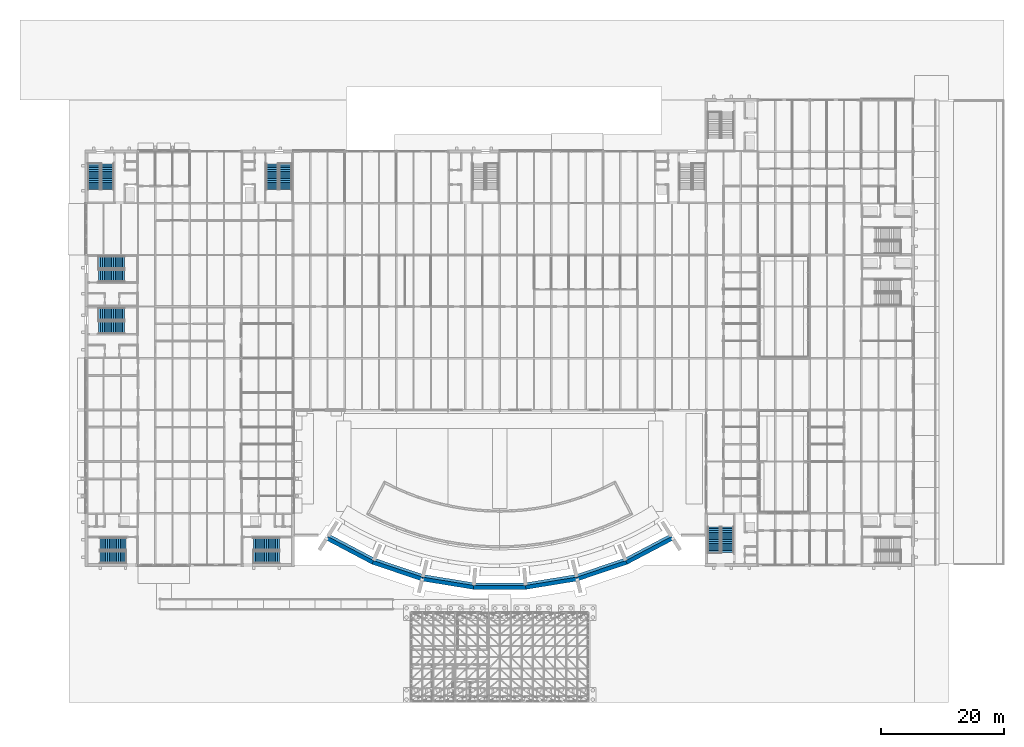
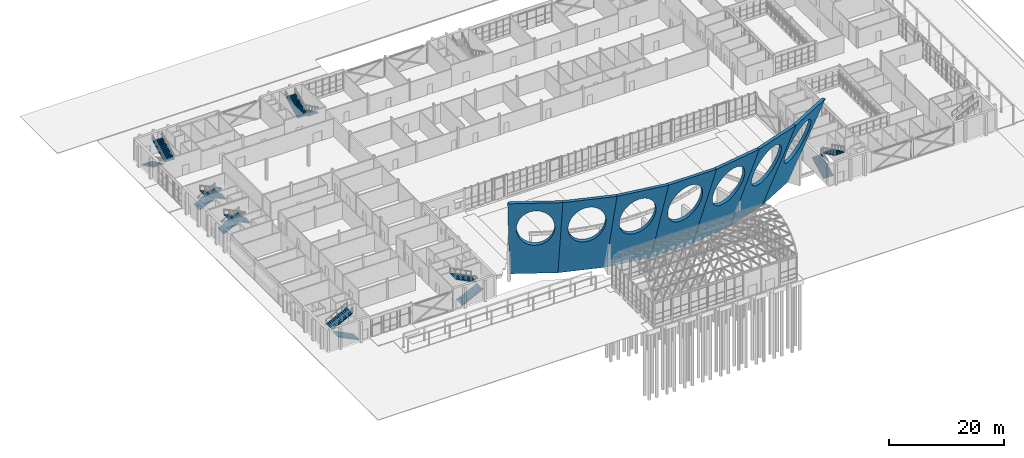
# One storey, part 97 of 116: 14 stair flights, 7 walls, 7 openings, 7 elements without a shape of their own.
"""IFC4 building model written with IfcOpenShell, lengths in metres."""

from ifc_helpers import new_model, si_unit, direction, frame, origin, origin_2d, place, context, subcontext, project, spatial, polyline, ellipse, outline, extrude, faceted_brep, material, layer, layer_set, type_object, element, aggregate, save


model = new_model("IFC4")

# Units and contexts
model_context = context("Model", 3, precision=1e-05, world=origin(), true_north=direction((0.0, 1.0)))
body_context = subcontext(model_context, "Body", "Model", "MODEL_VIEW")
ifc_project = project(units=[si_unit("LENGTHUNIT", "METRE"), si_unit("AREAUNIT", "SQUARE_METRE"), si_unit("VOLUMEUNIT", "CUBIC_METRE"), si_unit("PLANEANGLEUNIT", "RADIAN"), si_unit("MASSUNIT", "GRAM", prefix="KILO")], contexts=[model_context])

# Site, building, storey
site_placement = place(None, origin())
site = spatial("IfcSite", under=ifc_project, at=site_placement, CompositionType="ELEMENT")
building_placement = place(site_placement, origin())
building = spatial("IfcBuilding", under=site, at=building_placement, Name="Ardhachandra Cancer Care Centre", CompositionType="ELEMENT")
storey_placement = place(building_placement, origin())
storey = spatial("IfcBuildingStorey", under=building, at=storey_placement, Name="L00", CompositionType="ELEMENT", Elevation=0.0)

# Wall, opening
ifc_material_1 = material(Name="Concrete M40", Category="concrete")
ifc_layer = layer(ifc_material_1, 0.60009765625)
ifc_layer_set = layer_set([ifc_layer], Name="Concrete M40")
wall_type = type_object("IfcWallType", Name="Stone wall 600 leaning, granite on M40 core", PredefinedType="SOLIDWALL", material=ifc_layer_set)
wall_1_placement = place(storey_placement, frame((50.114501953125, 34.109375, 0.0), z_axis=(-0.438215581245, -0.831257677206, -0.342020143326), x_axis=(0.884605943282, -0.466339281113, 0.0)))
wall_1 = element("IfcWall", 1, at=wall_1_placement, inside=storey, type_object=wall_type, Name="Court wall facet 1", PredefinedType="SOLIDWALL", context=body_context, shape_type="Brep", body=[
    faceted_brep([(0.025838475, -0.109152059, -0.299892818), (-0.564010179, 21.174404144, -0.299890748), (8.964007082, 21.17439072, -0.29992763), (8.374097543, -0.109164096, -0.299925889), (-0.025899252, 0.109229906, 0.300106699), (8.425841245, 0.109218079, 0.300074207), (9.015750317, 21.392772593, 0.300071635), (-0.615748791, 21.392786268, 0.300109208)], [[[0, 1, 2, 3]], [[4, 5, 6, 7]], [[0, 3, 5, 4]], [[1, 7, 6, 2]], [[0, 4, 7, 1]], [[3, 2, 6, 5]]]),
])
opening_1_placement = place(wall_1_placement, frame((4.35009765625, 13.834311042, 0.0)))
element("IfcOpeningElement", 2, at=opening_1_placement, cuts=wall_1, Name="Opening WS1.1", PredefinedType="OPENING", context=body_context, shape_type="SweptSolid", body=[
    extrude(ellipse(SemiAxis1=3.35009765625, SemiAxis2=5.214471085, at=origin_2d()), frame((0.0, 0.0, -0.31005859375)), (0.0, 0.0, 1.0), 0.6201171875),
])

wall_2_placement = place(storey_placement, frame((57.545166015625, 30.192138671875, 0.0), z_axis=(-0.298655902579, -0.890969625416, -0.342020143326), x_axis=(0.948150071319, -0.317822973143, 0.0)))
wall_2 = element("IfcWall", 3, at=wall_2_placement, inside=storey, type_object=wall_type, Name="Court wall facet 2", PredefinedType="SOLIDWALL", context=body_context, shape_type="Brep", body=[
    faceted_brep([(0.025855128, -0.109164598, -0.299927267), (-0.563999963, 21.174391727, -0.299924861), (8.964018032, 21.174380903, -0.299954601), (8.374115159, -0.109173913, -0.29995286), (-0.025883248, 0.109217725, 0.300073234), (8.425858038, 0.10920815, 0.300046927), (9.015760911, 21.392762966, 0.300045187), (-0.615738657, 21.392773726, 0.300074749)], [[[0, 1, 2, 3]], [[4, 5, 6, 7]], [[0, 3, 5, 4]], [[1, 7, 6, 2]], [[0, 4, 7, 1]], [[3, 2, 6, 5]]]),
])
opening_2_placement = place(wall_2_placement, frame((4.199951171875, 13.834311042, 0.0)))
element("IfcOpeningElement", 4, at=opening_2_placement, cuts=wall_2, Name="Opening WS2.1", PredefinedType="OPENING", context=body_context, shape_type="SweptSolid", body=[
    extrude(ellipse(SemiAxis1=3.35009765625, SemiAxis2=5.214471085, at=origin_2d()), frame((0.0, 0.0, -0.31005859375)), (0.0, 0.0, 1.0), 0.6201171875),
])

wall_3_placement = place(storey_placement, frame((65.509521484375, 27.5224609375, 0.0), z_axis=(-0.151303703919, -0.92743162052, -0.342020143326), x_axis=(0.986952116048, -0.161014038604, 0.0)))
wall_3 = element("IfcWall", 5, at=wall_3_placement, inside=storey, type_object=wall_type, Name="Court wall facet 3", PredefinedType="SOLIDWALL", context=body_context, shape_type="Brep", body=[
    faceted_brep([(0.025957407, -0.109168829, -0.299938891), (-0.56389727, 21.174387323, -0.299936962), (8.964119886, 21.174376053, -0.299967927), (8.374215977, -0.109178472, -0.299965387), (-0.025781114, 0.109213355, 0.300061228), (8.425959504, 0.109203344, 0.300033721), (9.015862587, 21.392758261, 0.300032259), (-0.615635792, 21.392769507, 0.300063157)], [[[0, 1, 2, 3]], [[4, 5, 6, 7]], [[0, 3, 5, 4]], [[1, 7, 6, 2]], [[0, 4, 7, 1]], [[3, 2, 6, 5]]]),
])
opening_3_placement = place(wall_3_placement, frame((4.199951171875, 13.834311042, 0.0)))
element("IfcOpeningElement", 6, at=opening_3_placement, cuts=wall_3, Name="Opening WS3.1", PredefinedType="OPENING", context=body_context, shape_type="SweptSolid", body=[
    extrude(ellipse(SemiAxis1=3.35009765625, SemiAxis2=5.214471085, at=origin_2d()), frame((0.0, 0.0, -0.31005859375)), (0.0, 0.0, 1.0), 0.6201171875),
])

wall_4_placement = place(storey_placement, frame((73.800048828125, 26.169921875, 0.0), z_axis=(0.0, -0.939692620786, -0.342020143326), x_axis=(1.0, 0.0, 0.0)))
wall_4 = element("IfcWall", 7, at=wall_4_placement, inside=storey, type_object=wall_type, Name="Court wall facet 4", PredefinedType="SOLIDWALL", context=body_context, shape_type="Brep", body=[
    faceted_brep([(0.025821172, -0.109181081, -0.299972555), (-0.564057828, 21.174374134, -0.299973199), (8.963960172, 21.174374134, -0.299973199), (8.374081172, -0.109181081, -0.299972555), (-0.025918828, 0.109200833, 0.300026822), (8.425821172, 0.109200833, 0.300026822), (9.015701172, 21.39275639, 0.300027118), (-0.615798828, 21.39275639, 0.300027118)], [[[0, 1, 2, 3]], [[4, 5, 6, 7]], [[0, 3, 5, 4]], [[1, 7, 6, 2]], [[0, 4, 7, 1]], [[3, 2, 6, 5]]]),
])
opening_4_placement = place(wall_4_placement, frame((4.199951171875, 13.834311042, 0.0)))
element("IfcOpeningElement", 8, at=opening_4_placement, cuts=wall_4, Name="Opening WS4.1", PredefinedType="OPENING", context=body_context, shape_type="SweptSolid", body=[
    extrude(ellipse(SemiAxis1=3.35009765625, SemiAxis2=5.214471085, at=origin_2d()), frame((0.0, 0.0, -0.31005859375)), (0.0, 0.0, 1.0), 0.6201171875),
])

wall_5_placement = place(storey_placement, frame((82.199951171875, 26.169921875, 0.0), z_axis=(0.151303703919, -0.92743162052, -0.342020143326), x_axis=(0.986952116048, 0.161014038604, 0.0)))
wall_5 = element("IfcWall", 9, at=wall_5_placement, inside=storey, type_object=wall_type, Name="Court wall facet 5", PredefinedType="SOLIDWALL", context=body_context, shape_type="Brep", body=[
    faceted_brep([(0.025915305, -0.109178472, -0.299965387), (-0.563988604, 21.174376053, -0.299967927), (8.964028552, 21.174387323, -0.299936962), (8.374173875, -0.109168829, -0.299938891), (-0.025828222, 0.109203344, 0.300033721), (8.425912396, 0.109213355, 0.300061228), (9.015767074, 21.392769507, 0.300063157), (-0.615731305, 21.392758261, 0.300032259)], [[[0, 1, 2, 3]], [[4, 5, 6, 7]], [[0, 3, 5, 4]], [[1, 7, 6, 2]], [[0, 4, 7, 1]], [[3, 2, 6, 5]]]),
])
opening_5_placement = place(wall_5_placement, frame((4.199951171875, 13.834311042, 0.0)))
element("IfcOpeningElement", 10, at=opening_5_placement, cuts=wall_5, Name="Opening WS5.1", PredefinedType="OPENING", context=body_context, shape_type="SweptSolid", body=[
    extrude(ellipse(SemiAxis1=3.35009765625, SemiAxis2=5.214471085, at=origin_2d()), frame((0.0, 0.0, -0.31005859375)), (0.0, 0.0, 1.0), 0.6201171875),
])

wall_6_placement = place(storey_placement, frame((90.490478515625, 27.5224609375, 0.0), z_axis=(0.298655902579, -0.890969625416, -0.342020143326), x_axis=(0.948150071319, 0.317822973143, 0.0)))
wall_6 = element("IfcWall", 11, at=wall_6_placement, inside=storey, type_object=wall_type, Name="Court wall facet 6", PredefinedType="SOLIDWALL", context=body_context, shape_type="Brep", body=[
    faceted_brep([(0.025773962, -0.109173913, -0.29995286), (-0.564128911, 21.174380903, -0.299954601), (8.963889084, 21.174391727, -0.299924861), (8.374033993, -0.109164598, -0.299927267), (-0.025968917, 0.10920815, 0.300046927), (8.425772368, 0.109217725, 0.300073234), (9.015627777, 21.392773726, 0.300074749), (-0.61587179, 21.392762966, 0.300045187)], [[[0, 1, 2, 3]], [[4, 5, 6, 7]], [[0, 3, 5, 4]], [[1, 7, 6, 2]], [[0, 4, 7, 1]], [[3, 2, 6, 5]]]),
])
opening_6_placement = place(wall_6_placement, frame((4.199951171875, 13.834311042, 0.0)))
element("IfcOpeningElement", 12, at=opening_6_placement, cuts=wall_6, Name="Opening WS6.1", PredefinedType="OPENING", context=body_context, shape_type="SweptSolid", body=[
    extrude(ellipse(SemiAxis1=3.35009765625, SemiAxis2=5.214471085, at=origin_2d()), frame((0.0, 0.0, -0.31005859375)), (0.0, 0.0, 1.0), 0.6201171875),
])

wall_7_placement = place(storey_placement, frame((98.454833984375, 30.192138671875, 0.0), z_axis=(0.438215581245, -0.831257677206, -0.342020143326), x_axis=(0.884605943282, 0.466339281113, 0.0)))
wall_7 = element("IfcWall", 13, at=wall_7_placement, inside=storey, type_object=wall_type, Name="Court wall facet 7", PredefinedType="SOLIDWALL", context=body_context, shape_type="Brep", body=[
    faceted_brep([(0.025873222, -0.109164096, -0.299925889), (-0.564036317, 21.17439072, -0.29992763), (8.963980944, 21.174404144, -0.299890748), (8.37413229, -0.109152059, -0.299892818), (-0.025870479, 0.109218079, 0.300074207), (8.425870018, 0.109229906, 0.300106699), (9.015719556, 21.392786268, 0.300109208), (-0.615779552, 21.392772593, 0.300071635)], [[[0, 1, 2, 3]], [[4, 5, 6, 7]], [[0, 3, 5, 4]], [[1, 7, 6, 2]], [[0, 4, 7, 1]], [[3, 2, 6, 5]]]),
])
opening_7_placement = place(wall_7_placement, frame((4.050048828125, 13.834311042, 0.0)))
element("IfcOpeningElement", 14, at=opening_7_placement, cuts=wall_7, Name="Opening WS7.1", PredefinedType="OPENING", context=body_context, shape_type="SweptSolid", body=[
    extrude(ellipse(SemiAxis1=3.35009765625, SemiAxis2=5.214471085, at=origin_2d()), frame((0.0, 0.0, -0.31005859375)), (0.0, 0.0, 1.0), 0.6201171875),
])

# Stair, stair flights
ifc_material_2 = material(Name="Concrete M40", Category="concrete")
stair_type = type_object("IfcStairType", Name="Dog-leg stair 2000", PredefinedType="HALF_TURN_STAIR", material=ifc_material_2)
stair_1_placement = place(storey_placement, origin())
stair_1 = element("IfcStair", 15, at=stair_1_placement, inside=storey, type_object=stair_type, Name="Stair K1 L00-L01", PredefinedType="HALF_TURN_STAIR")
ifc_material_3 = material(Name="Concrete M40", Category="concrete")
stair_flight_type = type_object("IfcStairFlightType", Name="Stair flight 2000", PredefinedType="STRAIGHT", material=ifc_material_3)
stair_flight_1_placement = place(storey_placement, frame((17.22509765625, 30.625, 0.0), z_axis=(0.0, 0.0, 1.0), x_axis=(-1.0, 0.0, 0.0)))
stair_flight_1 = element("IfcStairFlight", 16, at=stair_flight_1_placement, type_object=stair_flight_type, Name="stair K1 L00-L01 flight 1", NumberOfRisers=15, NumberOfTreads=14, PredefinedType="STRAIGHT", RiserHeight=0.15, TreadLength=0.3, context=body_context, shape_type="SweptSolid", body=[
    extrude(outline(polyline([(0.0, 0.0), (0.0, 0.14990234375), (0.300048828125, 0.14990234375), (0.300048828125, 0.300048828125), (0.60009765625, 0.300048828125), (0.60009765625, 0.449951171875), (0.89990234375, 0.449951171875), (0.89990234375, 0.60009765625), (1.199951171875, 0.60009765625), (1.199951171875, 0.75), (1.5, 0.75), (1.5, 0.89990234375), (1.800048828125, 0.89990234375), (1.800048828125, 1.050048828125), (2.10009765625, 1.050048828125), (2.10009765625, 1.199951171875), (2.39990234375, 1.199951171875), (2.39990234375, 1.35009765625), (2.699951171875, 1.35009765625), (2.699951171875, 1.5), (3.0, 1.5), (3.0, 1.64990234375), (3.300048828125, 1.64990234375), (3.300048828125, 1.800048828125), (3.60009765625, 1.800048828125), (3.60009765625, 1.949951171875), (3.89990234375, 1.949951171875), (3.89990234375, 2.10009765625), (4.199951171875, 2.10009765625), (4.199951171875, 2.25), (4.199951171875, 1.932373046875), (0.335205078125, 0.0), (0.0, 0.0)])), frame((0.0, 1.0, 0.0), z_axis=(0.0, -1.0, 0.0), x_axis=(1.0, 0.0, 0.0)), (0.0, 0.0, 1.0), 2.0),
])
stair_flight_2_placement = place(storey_placement, frame((13.02490234375, 32.824951171875, 2.25), z_axis=(0.0, 0.0, 1.0), x_axis=(1.0, 0.0, 0.0)))
stair_flight_2 = element("IfcStairFlight", 17, at=stair_flight_2_placement, type_object=stair_flight_type, Name="stair K1 L00-L01 flight 2", NumberOfRisers=15, NumberOfTreads=14, PredefinedType="STRAIGHT", RiserHeight=0.15, TreadLength=0.3, context=body_context, shape_type="SweptSolid", body=[
    extrude(outline(polyline([(0.0, 0.0), (0.0, 0.14990234375), (0.300048828125, 0.14990234375), (0.300048828125, 0.300048828125), (0.60009765625, 0.300048828125), (0.60009765625, 0.449951171875), (0.89990234375, 0.449951171875), (0.89990234375, 0.60009765625), (1.199951171875, 0.60009765625), (1.199951171875, 0.75), (1.5, 0.75), (1.5, 0.89990234375), (1.800048828125, 0.89990234375), (1.800048828125, 1.050048828125), (2.10009765625, 1.050048828125), (2.10009765625, 1.199951171875), (2.39990234375, 1.199951171875), (2.39990234375, 1.35009765625), (2.699951171875, 1.35009765625), (2.699951171875, 1.5), (3.0, 1.5), (3.0, 1.64990234375), (3.300048828125, 1.64990234375), (3.300048828125, 1.800048828125), (3.60009765625, 1.800048828125), (3.60009765625, 1.949951171875), (3.89990234375, 1.949951171875), (3.89990234375, 2.10009765625), (4.199951171875, 2.10009765625), (4.199951171875, 2.25), (4.199951171875, 1.932373046875), (0.335205078125, 0.0), (0.0, 0.0)])), frame((0.0, 1.0, 0.0), z_axis=(0.0, -1.0, 0.0), x_axis=(1.0, 0.0, 0.0)), (0.0, 0.0, 1.0), 2.0),
])
aggregate(stair_1, [stair_flight_1, stair_flight_2])

stair_2_placement = place(storey_placement, origin())
stair_2 = element("IfcStair", 18, at=stair_2_placement, inside=storey, type_object=stair_type, Name="Stair K2 L00-L01", PredefinedType="HALF_TURN_STAIR")
stair_flight_3_placement = place(storey_placement, frame((37.97509765625, 30.625, 0.0), z_axis=(0.0, 0.0, 1.0), x_axis=(1.0, 0.0, 0.0)))
stair_flight_3 = element("IfcStairFlight", 19, at=stair_flight_3_placement, type_object=stair_flight_type, Name="stair K2 L00-L01 flight 1", NumberOfRisers=15, NumberOfTreads=14, PredefinedType="STRAIGHT", RiserHeight=0.15, TreadLength=0.3, context=body_context, shape_type="SweptSolid", body=[
    extrude(outline(polyline([(0.0, 0.0), (0.0, 0.14990234375), (0.300048828125, 0.14990234375), (0.300048828125, 0.300048828125), (0.60009765625, 0.300048828125), (0.60009765625, 0.449951171875), (0.89990234375, 0.449951171875), (0.89990234375, 0.60009765625), (1.199951171875, 0.60009765625), (1.199951171875, 0.75), (1.5, 0.75), (1.5, 0.89990234375), (1.800048828125, 0.89990234375), (1.800048828125, 1.050048828125), (2.10009765625, 1.050048828125), (2.10009765625, 1.199951171875), (2.39990234375, 1.199951171875), (2.39990234375, 1.35009765625), (2.699951171875, 1.35009765625), (2.699951171875, 1.5), (3.0, 1.5), (3.0, 1.64990234375), (3.300048828125, 1.64990234375), (3.300048828125, 1.800048828125), (3.60009765625, 1.800048828125), (3.60009765625, 1.949951171875), (3.89990234375, 1.949951171875), (3.89990234375, 2.10009765625), (4.199951171875, 2.10009765625), (4.199951171875, 2.25), (4.199951171875, 1.932373046875), (0.335205078125, 0.0), (0.0, 0.0)])), frame((0.0, 1.0, 0.0), z_axis=(0.0, -1.0, 0.0), x_axis=(1.0, 0.0, 0.0)), (0.0, 0.0, 1.0), 2.0),
])
stair_flight_4_placement = place(storey_placement, frame((42.175048828125, 32.824951171875, 2.25), z_axis=(0.0, 0.0, 1.0), x_axis=(-1.0, 0.0, 0.0)))
stair_flight_4 = element("IfcStairFlight", 20, at=stair_flight_4_placement, type_object=stair_flight_type, Name="stair K2 L00-L01 flight 2", NumberOfRisers=15, NumberOfTreads=14, PredefinedType="STRAIGHT", RiserHeight=0.15, TreadLength=0.3, context=body_context, shape_type="SweptSolid", body=[
    extrude(outline(polyline([(0.0, 0.0), (0.0, 0.14990234375), (0.300048828125, 0.14990234375), (0.300048828125, 0.300048828125), (0.60009765625, 0.300048828125), (0.60009765625, 0.449951171875), (0.89990234375, 0.449951171875), (0.89990234375, 0.60009765625), (1.199951171875, 0.60009765625), (1.199951171875, 0.75), (1.5, 0.75), (1.5, 0.89990234375), (1.800048828125, 0.89990234375), (1.800048828125, 1.050048828125), (2.10009765625, 1.050048828125), (2.10009765625, 1.199951171875), (2.39990234375, 1.199951171875), (2.39990234375, 1.35009765625), (2.699951171875, 1.35009765625), (2.699951171875, 1.5), (3.0, 1.5), (3.0, 1.64990234375), (3.300048828125, 1.64990234375), (3.300048828125, 1.800048828125), (3.60009765625, 1.800048828125), (3.60009765625, 1.949951171875), (3.89990234375, 1.949951171875), (3.89990234375, 2.10009765625), (4.199951171875, 2.10009765625), (4.199951171875, 2.25), (4.199951171875, 1.932373046875), (0.335205078125, 0.0), (0.0, 0.0)])), frame((0.0, 1.0, 0.0), z_axis=(0.0, -1.0, 0.0), x_axis=(1.0, 0.0, 0.0)), (0.0, 0.0, 1.0), 2.0),
])
aggregate(stair_2, [stair_flight_3, stair_flight_4])

stair_3_placement = place(storey_placement, origin())
stair_3 = element("IfcStair", 21, at=stair_3_placement, inside=storey, type_object=stair_type, Name="Stair K3 L00-L01", PredefinedType="HALF_TURN_STAIR")
stair_flight_5_placement = place(storey_placement, frame((12.800048828125, 70.199951171875, 0.0), z_axis=(0.0, 0.0, 1.0), x_axis=(1.0, 0.0, 0.0)))
stair_flight_5 = element("IfcStairFlight", 22, at=stair_flight_5_placement, type_object=stair_flight_type, Name="stair K3 L00-L01 flight 1", NumberOfRisers=15, NumberOfTreads=14, PredefinedType="STRAIGHT", RiserHeight=0.15, TreadLength=0.3, context=body_context, shape_type="SweptSolid", body=[
    extrude(outline(polyline([(0.0, 0.0), (0.0, 0.14990234375), (0.300048828125, 0.14990234375), (0.300048828125, 0.300048828125), (0.60009765625, 0.300048828125), (0.60009765625, 0.449951171875), (0.89990234375, 0.449951171875), (0.89990234375, 0.60009765625), (1.199951171875, 0.60009765625), (1.199951171875, 0.75), (1.5, 0.75), (1.5, 0.89990234375), (1.800048828125, 0.89990234375), (1.800048828125, 1.050048828125), (2.10009765625, 1.050048828125), (2.10009765625, 1.199951171875), (2.39990234375, 1.199951171875), (2.39990234375, 1.35009765625), (2.699951171875, 1.35009765625), (2.699951171875, 1.5), (3.0, 1.5), (3.0, 1.64990234375), (3.300048828125, 1.64990234375), (3.300048828125, 1.800048828125), (3.60009765625, 1.800048828125), (3.60009765625, 1.949951171875), (3.89990234375, 1.949951171875), (3.89990234375, 2.10009765625), (4.199951171875, 2.10009765625), (4.199951171875, 2.25), (4.199951171875, 1.932373046875), (0.335205078125, 0.0), (0.0, 0.0)])), frame((0.0, 1.0, 0.0), z_axis=(0.0, -1.0, 0.0), x_axis=(1.0, 0.0, 0.0)), (0.0, 0.0, 1.0), 2.0),
])
stair_flight_6_placement = place(storey_placement, frame((17.0, 68.0, 2.25), z_axis=(0.0, 0.0, 1.0), x_axis=(-1.0, 0.0, 0.0)))
stair_flight_6 = element("IfcStairFlight", 23, at=stair_flight_6_placement, type_object=stair_flight_type, Name="stair K3 L00-L01 flight 2", NumberOfRisers=15, NumberOfTreads=14, PredefinedType="STRAIGHT", RiserHeight=0.15, TreadLength=0.3, context=body_context, shape_type="SweptSolid", body=[
    extrude(outline(polyline([(0.0, 0.0), (0.0, 0.14990234375), (0.300048828125, 0.14990234375), (0.300048828125, 0.300048828125), (0.60009765625, 0.300048828125), (0.60009765625, 0.449951171875), (0.89990234375, 0.449951171875), (0.89990234375, 0.60009765625), (1.199951171875, 0.60009765625), (1.199951171875, 0.75), (1.5, 0.75), (1.5, 0.89990234375), (1.800048828125, 0.89990234375), (1.800048828125, 1.050048828125), (2.10009765625, 1.050048828125), (2.10009765625, 1.199951171875), (2.39990234375, 1.199951171875), (2.39990234375, 1.35009765625), (2.699951171875, 1.35009765625), (2.699951171875, 1.5), (3.0, 1.5), (3.0, 1.64990234375), (3.300048828125, 1.64990234375), (3.300048828125, 1.800048828125), (3.60009765625, 1.800048828125), (3.60009765625, 1.949951171875), (3.89990234375, 1.949951171875), (3.89990234375, 2.10009765625), (4.199951171875, 2.10009765625), (4.199951171875, 2.25), (4.199951171875, 1.932373046875), (0.335205078125, 0.0), (0.0, 0.0)])), frame((0.0, 1.0, 0.0), z_axis=(0.0, -1.0, 0.0), x_axis=(1.0, 0.0, 0.0)), (0.0, 0.0, 1.0), 2.0),
])
aggregate(stair_3, [stair_flight_5, stair_flight_6])

stair_4_placement = place(storey_placement, origin())
stair_4 = element("IfcStair", 24, at=stair_4_placement, inside=storey, type_object=stair_type, Name="Stair K4 L00-L01", PredefinedType="HALF_TURN_STAIR")
stair_flight_7_placement = place(storey_placement, frame((12.02490234375, 94.60009765625, 0.0), z_axis=(0.0, 0.0, 1.0), x_axis=(0.0, -1.0, 0.0)))
stair_flight_7 = element("IfcStairFlight", 25, at=stair_flight_7_placement, type_object=stair_flight_type, Name="stair K4 L00-L01 flight 1", NumberOfRisers=15, NumberOfTreads=14, PredefinedType="STRAIGHT", RiserHeight=0.15, TreadLength=0.3, context=body_context, shape_type="SweptSolid", body=[
    extrude(outline(polyline([(0.0, 0.0), (0.0, 0.14990234375), (0.300048828125, 0.14990234375), (0.300048828125, 0.300048828125), (0.60009765625, 0.300048828125), (0.60009765625, 0.449951171875), (0.89990234375, 0.449951171875), (0.89990234375, 0.60009765625), (1.199951171875, 0.60009765625), (1.199951171875, 0.75), (1.5, 0.75), (1.5, 0.89990234375), (1.800048828125, 0.89990234375), (1.800048828125, 1.050048828125), (2.10009765625, 1.050048828125), (2.10009765625, 1.199951171875), (2.39990234375, 1.199951171875), (2.39990234375, 1.35009765625), (2.699951171875, 1.35009765625), (2.699951171875, 1.5), (3.0, 1.5), (3.0, 1.64990234375), (3.300048828125, 1.64990234375), (3.300048828125, 1.800048828125), (3.60009765625, 1.800048828125), (3.60009765625, 1.949951171875), (3.89990234375, 1.949951171875), (3.89990234375, 2.10009765625), (4.199951171875, 2.10009765625), (4.199951171875, 2.25), (4.199951171875, 1.932373046875), (0.335205078125, 0.0), (0.0, 0.0)])), frame((0.0, 1.0, 0.0), z_axis=(0.0, -1.0, 0.0), x_axis=(1.0, 0.0, 0.0)), (0.0, 0.0, 1.0), 2.0),
])
stair_flight_8_placement = place(storey_placement, frame((14.22509765625, 90.39990234375, 2.25), z_axis=(0.0, 0.0, 1.0), x_axis=(0.0, 1.0, 0.0)))
stair_flight_8 = element("IfcStairFlight", 26, at=stair_flight_8_placement, type_object=stair_flight_type, Name="stair K4 L00-L01 flight 2", NumberOfRisers=15, NumberOfTreads=14, PredefinedType="STRAIGHT", RiserHeight=0.15, TreadLength=0.3, context=body_context, shape_type="SweptSolid", body=[
    extrude(outline(polyline([(0.0, 0.0), (0.0, 0.14990234375), (0.300048828125, 0.14990234375), (0.300048828125, 0.300048828125), (0.60009765625, 0.300048828125), (0.60009765625, 0.449951171875), (0.89990234375, 0.449951171875), (0.89990234375, 0.60009765625), (1.199951171875, 0.60009765625), (1.199951171875, 0.75), (1.5, 0.75), (1.5, 0.89990234375), (1.800048828125, 0.89990234375), (1.800048828125, 1.050048828125), (2.10009765625, 1.050048828125), (2.10009765625, 1.199951171875), (2.39990234375, 1.199951171875), (2.39990234375, 1.35009765625), (2.699951171875, 1.35009765625), (2.699951171875, 1.5), (3.0, 1.5), (3.0, 1.64990234375), (3.300048828125, 1.64990234375), (3.300048828125, 1.800048828125), (3.60009765625, 1.800048828125), (3.60009765625, 1.949951171875), (3.89990234375, 1.949951171875), (3.89990234375, 2.10009765625), (4.199951171875, 2.10009765625), (4.199951171875, 2.25), (4.199951171875, 1.932373046875), (0.335205078125, 0.0), (0.0, 0.0)])), frame((0.0, 1.0, 0.0), z_axis=(0.0, -1.0, 0.0), x_axis=(1.0, 0.0, 0.0)), (0.0, 0.0, 1.0), 2.0),
])
aggregate(stair_4, [stair_flight_7, stair_flight_8])

stair_5_placement = place(storey_placement, origin())
stair_5 = element("IfcStair", 27, at=stair_5_placement, inside=storey, type_object=stair_type, Name="Stair K5 L00-L01", PredefinedType="HALF_TURN_STAIR")
stair_flight_9_placement = place(storey_placement, frame((43.199951171875, 94.60009765625, 0.0), z_axis=(0.0, 0.0, 1.0), x_axis=(0.0, -1.0, 0.0)))
stair_flight_9 = element("IfcStairFlight", 28, at=stair_flight_9_placement, type_object=stair_flight_type, Name="stair K5 L00-L01 flight 1", NumberOfRisers=15, NumberOfTreads=14, PredefinedType="STRAIGHT", RiserHeight=0.15, TreadLength=0.3, context=body_context, shape_type="SweptSolid", body=[
    extrude(outline(polyline([(0.0, 0.0), (0.0, 0.14990234375), (0.300048828125, 0.14990234375), (0.300048828125, 0.300048828125), (0.60009765625, 0.300048828125), (0.60009765625, 0.449951171875), (0.89990234375, 0.449951171875), (0.89990234375, 0.60009765625), (1.199951171875, 0.60009765625), (1.199951171875, 0.75), (1.5, 0.75), (1.5, 0.89990234375), (1.800048828125, 0.89990234375), (1.800048828125, 1.050048828125), (2.10009765625, 1.050048828125), (2.10009765625, 1.199951171875), (2.39990234375, 1.199951171875), (2.39990234375, 1.35009765625), (2.699951171875, 1.35009765625), (2.699951171875, 1.5), (3.0, 1.5), (3.0, 1.64990234375), (3.300048828125, 1.64990234375), (3.300048828125, 1.800048828125), (3.60009765625, 1.800048828125), (3.60009765625, 1.949951171875), (3.89990234375, 1.949951171875), (3.89990234375, 2.10009765625), (4.199951171875, 2.10009765625), (4.199951171875, 2.25), (4.199951171875, 1.932373046875), (0.335205078125, 0.0), (0.0, 0.0)])), frame((0.0, 1.0, 0.0), z_axis=(0.0, -1.0, 0.0), x_axis=(1.0, 0.0, 0.0)), (0.0, 0.0, 1.0), 2.0),
])
stair_flight_10_placement = place(storey_placement, frame((41.0, 90.39990234375, 2.25), z_axis=(0.0, 0.0, 1.0), x_axis=(0.0, 1.0, 0.0)))
stair_flight_10 = element("IfcStairFlight", 29, at=stair_flight_10_placement, type_object=stair_flight_type, Name="stair K5 L00-L01 flight 2", NumberOfRisers=15, NumberOfTreads=14, PredefinedType="STRAIGHT", RiserHeight=0.15, TreadLength=0.3, context=body_context, shape_type="SweptSolid", body=[
    extrude(outline(polyline([(0.0, 0.0), (0.0, 0.14990234375), (0.300048828125, 0.14990234375), (0.300048828125, 0.300048828125), (0.60009765625, 0.300048828125), (0.60009765625, 0.449951171875), (0.89990234375, 0.449951171875), (0.89990234375, 0.60009765625), (1.199951171875, 0.60009765625), (1.199951171875, 0.75), (1.5, 0.75), (1.5, 0.89990234375), (1.800048828125, 0.89990234375), (1.800048828125, 1.050048828125), (2.10009765625, 1.050048828125), (2.10009765625, 1.199951171875), (2.39990234375, 1.199951171875), (2.39990234375, 1.35009765625), (2.699951171875, 1.35009765625), (2.699951171875, 1.5), (3.0, 1.5), (3.0, 1.64990234375), (3.300048828125, 1.64990234375), (3.300048828125, 1.800048828125), (3.60009765625, 1.800048828125), (3.60009765625, 1.949951171875), (3.89990234375, 1.949951171875), (3.89990234375, 2.10009765625), (4.199951171875, 2.10009765625), (4.199951171875, 2.25), (4.199951171875, 1.932373046875), (0.335205078125, 0.0), (0.0, 0.0)])), frame((0.0, 1.0, 0.0), z_axis=(0.0, -1.0, 0.0), x_axis=(1.0, 0.0, 0.0)), (0.0, 0.0, 1.0), 2.0),
])
aggregate(stair_5, [stair_flight_9, stair_flight_10])

stair_6_placement = place(storey_placement, origin())
stair_6 = element("IfcStair", 30, at=stair_6_placement, inside=storey, type_object=stair_type, Name="Stair K6 L00-L01", PredefinedType="HALF_TURN_STAIR")
stair_flight_11_placement = place(storey_placement, frame((12.800048828125, 78.60009765625, 0.0), z_axis=(0.0, 0.0, 1.0), x_axis=(1.0, 0.0, 0.0)))
stair_flight_11 = element("IfcStairFlight", 31, at=stair_flight_11_placement, type_object=stair_flight_type, Name="stair K6 L00-L01 flight 1", NumberOfRisers=15, NumberOfTreads=14, PredefinedType="STRAIGHT", RiserHeight=0.15, TreadLength=0.3, context=body_context, shape_type="SweptSolid", body=[
    extrude(outline(polyline([(0.0, 0.0), (0.0, 0.14990234375), (0.300048828125, 0.14990234375), (0.300048828125, 0.300048828125), (0.60009765625, 0.300048828125), (0.60009765625, 0.449951171875), (0.89990234375, 0.449951171875), (0.89990234375, 0.60009765625), (1.199951171875, 0.60009765625), (1.199951171875, 0.75), (1.5, 0.75), (1.5, 0.89990234375), (1.800048828125, 0.89990234375), (1.800048828125, 1.050048828125), (2.10009765625, 1.050048828125), (2.10009765625, 1.199951171875), (2.39990234375, 1.199951171875), (2.39990234375, 1.35009765625), (2.699951171875, 1.35009765625), (2.699951171875, 1.5), (3.0, 1.5), (3.0, 1.64990234375), (3.300048828125, 1.64990234375), (3.300048828125, 1.800048828125), (3.60009765625, 1.800048828125), (3.60009765625, 1.949951171875), (3.89990234375, 1.949951171875), (3.89990234375, 2.10009765625), (4.199951171875, 2.10009765625), (4.199951171875, 2.25), (4.199951171875, 1.932373046875), (0.335205078125, 0.0), (0.0, 0.0)])), frame((0.0, 1.0, 0.0), z_axis=(0.0, -1.0, 0.0), x_axis=(1.0, 0.0, 0.0)), (0.0, 0.0, 1.0), 2.0),
])
stair_flight_12_placement = place(storey_placement, frame((17.0, 76.39990234375, 2.25), z_axis=(0.0, 0.0, 1.0), x_axis=(-1.0, 0.0, 0.0)))
stair_flight_12 = element("IfcStairFlight", 32, at=stair_flight_12_placement, type_object=stair_flight_type, Name="stair K6 L00-L01 flight 2", NumberOfRisers=15, NumberOfTreads=14, PredefinedType="STRAIGHT", RiserHeight=0.15, TreadLength=0.3, context=body_context, shape_type="SweptSolid", body=[
    extrude(outline(polyline([(0.0, 0.0), (0.0, 0.14990234375), (0.300048828125, 0.14990234375), (0.300048828125, 0.300048828125), (0.60009765625, 0.300048828125), (0.60009765625, 0.449951171875), (0.89990234375, 0.449951171875), (0.89990234375, 0.60009765625), (1.199951171875, 0.60009765625), (1.199951171875, 0.75), (1.5, 0.75), (1.5, 0.89990234375), (1.800048828125, 0.89990234375), (1.800048828125, 1.050048828125), (2.10009765625, 1.050048828125), (2.10009765625, 1.199951171875), (2.39990234375, 1.199951171875), (2.39990234375, 1.35009765625), (2.699951171875, 1.35009765625), (2.699951171875, 1.5), (3.0, 1.5), (3.0, 1.64990234375), (3.300048828125, 1.64990234375), (3.300048828125, 1.800048828125), (3.60009765625, 1.800048828125), (3.60009765625, 1.949951171875), (3.89990234375, 1.949951171875), (3.89990234375, 2.10009765625), (4.199951171875, 2.10009765625), (4.199951171875, 2.25), (4.199951171875, 1.932373046875), (0.335205078125, 0.0), (0.0, 0.0)])), frame((0.0, 1.0, 0.0), z_axis=(0.0, -1.0, 0.0), x_axis=(1.0, 0.0, 0.0)), (0.0, 0.0, 1.0), 2.0),
])
aggregate(stair_6, [stair_flight_11, stair_flight_12])

stair_7_placement = place(storey_placement, origin())
stair_7 = element("IfcStair", 33, at=stair_7_placement, inside=storey, type_object=stair_type, Name="Stair K11 L00-L01", PredefinedType="HALF_TURN_STAIR")
stair_flight_13_placement = place(storey_placement, frame((112.824951171875, 31.39990234375, 0.0), z_axis=(0.0, 0.0, 1.0), x_axis=(0.0, 1.0, 0.0)))
stair_flight_13 = element("IfcStairFlight", 34, at=stair_flight_13_placement, type_object=stair_flight_type, Name="stair K11 L00-L01 flight 1", NumberOfRisers=15, NumberOfTreads=14, PredefinedType="STRAIGHT", RiserHeight=0.15, TreadLength=0.3, context=body_context, shape_type="SweptSolid", body=[
    extrude(outline(polyline([(0.0, 0.0), (0.0, 0.14990234375), (0.300048828125, 0.14990234375), (0.300048828125, 0.300048828125), (0.60009765625, 0.300048828125), (0.60009765625, 0.449951171875), (0.89990234375, 0.449951171875), (0.89990234375, 0.60009765625), (1.199951171875, 0.60009765625), (1.199951171875, 0.75), (1.5, 0.75), (1.5, 0.89990234375), (1.800048828125, 0.89990234375), (1.800048828125, 1.050048828125), (2.10009765625, 1.050048828125), (2.10009765625, 1.199951171875), (2.39990234375, 1.199951171875), (2.39990234375, 1.35009765625), (2.699951171875, 1.35009765625), (2.699951171875, 1.5), (3.0, 1.5), (3.0, 1.64990234375), (3.300048828125, 1.64990234375), (3.300048828125, 1.800048828125), (3.60009765625, 1.800048828125), (3.60009765625, 1.949951171875), (3.89990234375, 1.949951171875), (3.89990234375, 2.10009765625), (4.199951171875, 2.10009765625), (4.199951171875, 2.25), (4.199951171875, 1.932373046875), (0.335205078125, 0.0), (0.0, 0.0)])), frame((0.0, 1.0, 0.0), z_axis=(0.0, -1.0, 0.0), x_axis=(1.0, 0.0, 0.0)), (0.0, 0.0, 1.0), 2.0),
])
stair_flight_14_placement = place(storey_placement, frame((115.02490234375, 35.60009765625, 2.25), z_axis=(0.0, 0.0, 1.0), x_axis=(0.0, -1.0, 0.0)))
stair_flight_14 = element("IfcStairFlight", 35, at=stair_flight_14_placement, type_object=stair_flight_type, Name="stair K11 L00-L01 flight 2", NumberOfRisers=15, NumberOfTreads=14, PredefinedType="STRAIGHT", RiserHeight=0.15, TreadLength=0.3, context=body_context, shape_type="SweptSolid", body=[
    extrude(outline(polyline([(0.0, 0.0), (0.0, 0.14990234375), (0.300048828125, 0.14990234375), (0.300048828125, 0.300048828125), (0.60009765625, 0.300048828125), (0.60009765625, 0.449951171875), (0.89990234375, 0.449951171875), (0.89990234375, 0.60009765625), (1.199951171875, 0.60009765625), (1.199951171875, 0.75), (1.5, 0.75), (1.5, 0.89990234375), (1.800048828125, 0.89990234375), (1.800048828125, 1.050048828125), (2.10009765625, 1.050048828125), (2.10009765625, 1.199951171875), (2.39990234375, 1.199951171875), (2.39990234375, 1.35009765625), (2.699951171875, 1.35009765625), (2.699951171875, 1.5), (3.0, 1.5), (3.0, 1.64990234375), (3.300048828125, 1.64990234375), (3.300048828125, 1.800048828125), (3.60009765625, 1.800048828125), (3.60009765625, 1.949951171875), (3.89990234375, 1.949951171875), (3.89990234375, 2.10009765625), (4.199951171875, 2.10009765625), (4.199951171875, 2.25), (4.199951171875, 1.932373046875), (0.335205078125, 0.0), (0.0, 0.0)])), frame((0.0, 1.0, 0.0), z_axis=(0.0, -1.0, 0.0), x_axis=(1.0, 0.0, 0.0)), (0.0, 0.0, 1.0), 2.0),
])
aggregate(stair_7, [stair_flight_13, stair_flight_14])

save(model, "model.ifc")
